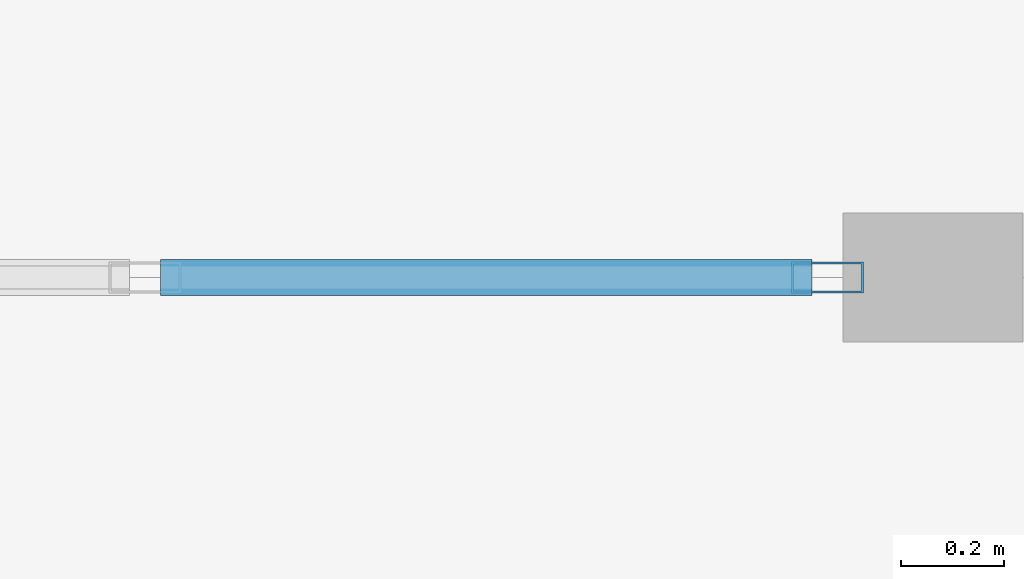
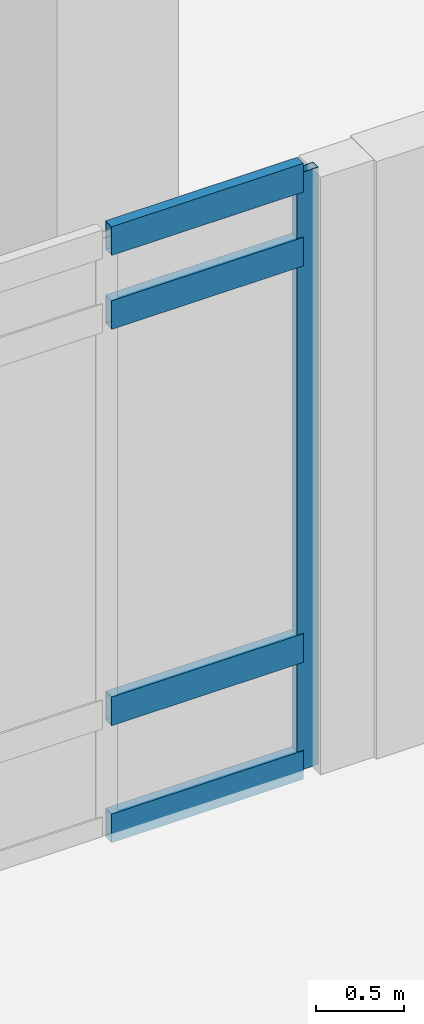
# One storey, part 11 of 55: 5 members, 1 element without a shape of its own.
"""IFC4 building model written with IfcOpenShell, lengths in metres."""

from ifc_helpers import new_model, si_unit, direction, frame, origin, origin_2d, place, context, subcontext, project, spatial, hollow_rectangle, extrude, material, layer, layer_set, material_profile, profile_set, type_object, element, aggregate, save


model = new_model("IFC4")

# Units and contexts
model_context = context("Model", 3, precision=1e-05, world=origin(), true_north=direction((0.0, 1.0)))
body_context = subcontext(model_context, "Body", "Model", "MODEL_VIEW")
ifc_project = project(units=[si_unit("LENGTHUNIT", "METRE"), si_unit("AREAUNIT", "SQUARE_METRE"), si_unit("VOLUMEUNIT", "CUBIC_METRE"), si_unit("PLANEANGLEUNIT", "RADIAN"), si_unit("MASSUNIT", "GRAM", prefix="KILO")], contexts=[model_context])

# Site, building, storey
site_placement = place(None, origin())
site = spatial("IfcSite", under=ifc_project, at=site_placement, CompositionType="ELEMENT")
building_placement = place(site_placement, origin())
building = spatial("IfcBuilding", under=site, at=building_placement, Name="Fikremerkos Civic Library", CompositionType="ELEMENT")
storey_placement = place(building_placement, frame((0.0, 0.0, 18.89990234375)))
storey = spatial("IfcBuildingStorey", under=building, at=storey_placement, Name="L04", CompositionType="ELEMENT", Elevation=18.89990234375)

# Curtain wall, members
ifc_material = material(Name="Anodized aluminium Frame", Category="aluminium")
ifc_layer = layer(ifc_material, 0.159912109375, Name="Anodized aluminium Frame")
ifc_layer_set = layer_set([ifc_layer], Name="Anodized aluminium Frame")
curtain_wall_type = type_object("IfcCurtainWallType", Name="Unitised curtain wall CW-07 3500x4100", PredefinedType="USERDEFINED", material=ifc_layer_set)
curtain_wall_placement = place(storey_placement, origin())
curtain_wall = element("IfcCurtainWall", 1, at=curtain_wall_placement, inside=storey, type_object=curtain_wall_type, Name="Unitised curtain wall CW-07 L04 #223", ObjectType="UNITISED CURTAIN WALL", PredefinedType="USERDEFINED")
ifc_material_profile_1 = material_profile(ifc_material, hollow_rectangle(XDim=0.06005859375, YDim=0.139892578125, WallThickness=0.00390625, at=origin_2d()), Name="ALU 140x60x4")
ifc_profile_set_1 = profile_set([ifc_material_profile_1], Name="Anodized aluminium Frame")
member_type_1 = type_object("IfcMemberType", Name="Curtain mullion CWM-03 ALU 140x60x4", PredefinedType="MULLION", material=ifc_profile_set_1)
member_1_placement = place(storey_placement, frame((45.818115234375, 8.800048828125, 0.0), z_axis=(0.0, 0.0, 1.0), x_axis=(0.0, -1.0, 0.0)))
member_1 = element("IfcMember", 2, at=member_1_placement, type_object=member_type_1, Name="CW-07 mullion 1", PredefinedType="MULLION", context=body_context, shape_type="SweptSolid", body=[
    extrude(hollow_rectangle(XDim=0.06005859375, YDim=0.139892578125, WallThickness=0.00390625, at=origin_2d()), origin(), (0.0, 0.0, 1.0), 4.16015625),
])
ifc_material_profile_2 = material_profile(ifc_material, hollow_rectangle(XDim=0.070068359375, YDim=0.199951171875, WallThickness=0.0048828125, at=origin_2d()), Name="ALU 200x70x5")
ifc_profile_set_2 = profile_set([ifc_material_profile_2], Name="Anodized aluminium Frame")
member_type_2 = type_object("IfcMemberType", Name="Curtain transom CWT-04 ALU 200x70x5", PredefinedType="USERDEFINED", material=ifc_profile_set_2)
member_2_placement = place(storey_placement, frame((45.7880859375, 8.800048828125, 0.03515625), z_axis=(-1.0, 0.0, 0.0), x_axis=(0.0, -1.0, 0.0)))
member_2 = element("IfcMember", 3, at=member_2_placement, type_object=member_type_2, Name="CW-07 transom 1.1", ObjectType="TRANSOM", PredefinedType="USERDEFINED", context=body_context, shape_type="SweptSolid", body=[
    extrude(hollow_rectangle(XDim=0.070068359375, YDim=0.199951171875, WallThickness=0.0048828125, at=origin_2d()), origin(), (0.0, 0.0, 1.0), 1.26513671875),
])
member_3_placement = place(storey_placement, frame((45.7880859375, 8.800048828125, 0.85009765625), z_axis=(-1.0, 0.0, 0.0), x_axis=(0.0, -1.0, 0.0)))
member_3 = element("IfcMember", 4, at=member_3_placement, type_object=member_type_2, Name="CW-07 transom 1.2", ObjectType="TRANSOM", PredefinedType="USERDEFINED", context=body_context, shape_type="SweptSolid", body=[
    extrude(hollow_rectangle(XDim=0.070068359375, YDim=0.199951171875, WallThickness=0.0048828125, at=origin_2d()), origin(), (0.0, 0.0, 1.0), 1.26513671875),
])
member_4_placement = place(storey_placement, frame((45.7880859375, 8.800048828125, 3.610107421875), z_axis=(-1.0, 0.0, 0.0), x_axis=(0.0, -1.0, 0.0)))
member_4 = element("IfcMember", 5, at=member_4_placement, type_object=member_type_2, Name="CW-07 transom 1.3", ObjectType="TRANSOM", PredefinedType="USERDEFINED", context=body_context, shape_type="SweptSolid", body=[
    extrude(hollow_rectangle(XDim=0.070068359375, YDim=0.199951171875, WallThickness=0.0048828125, at=origin_2d()), origin(), (0.0, 0.0, 1.0), 1.26513671875),
])
member_5_placement = place(storey_placement, frame((45.7880859375, 8.800048828125, 4.125), z_axis=(-1.0, 0.0, 0.0), x_axis=(0.0, -1.0, 0.0)))
member_5 = element("IfcMember", 6, at=member_5_placement, type_object=member_type_2, Name="CW-07 transom 1.4", ObjectType="TRANSOM", PredefinedType="USERDEFINED", context=body_context, shape_type="SweptSolid", body=[
    extrude(hollow_rectangle(XDim=0.070068359375, YDim=0.199951171875, WallThickness=0.0048828125, at=origin_2d()), origin(), (0.0, 0.0, 1.0), 1.26513671875),
])
aggregate(curtain_wall, [member_1, member_2, member_3, member_4, member_5])

save(model, "model.ifc")
